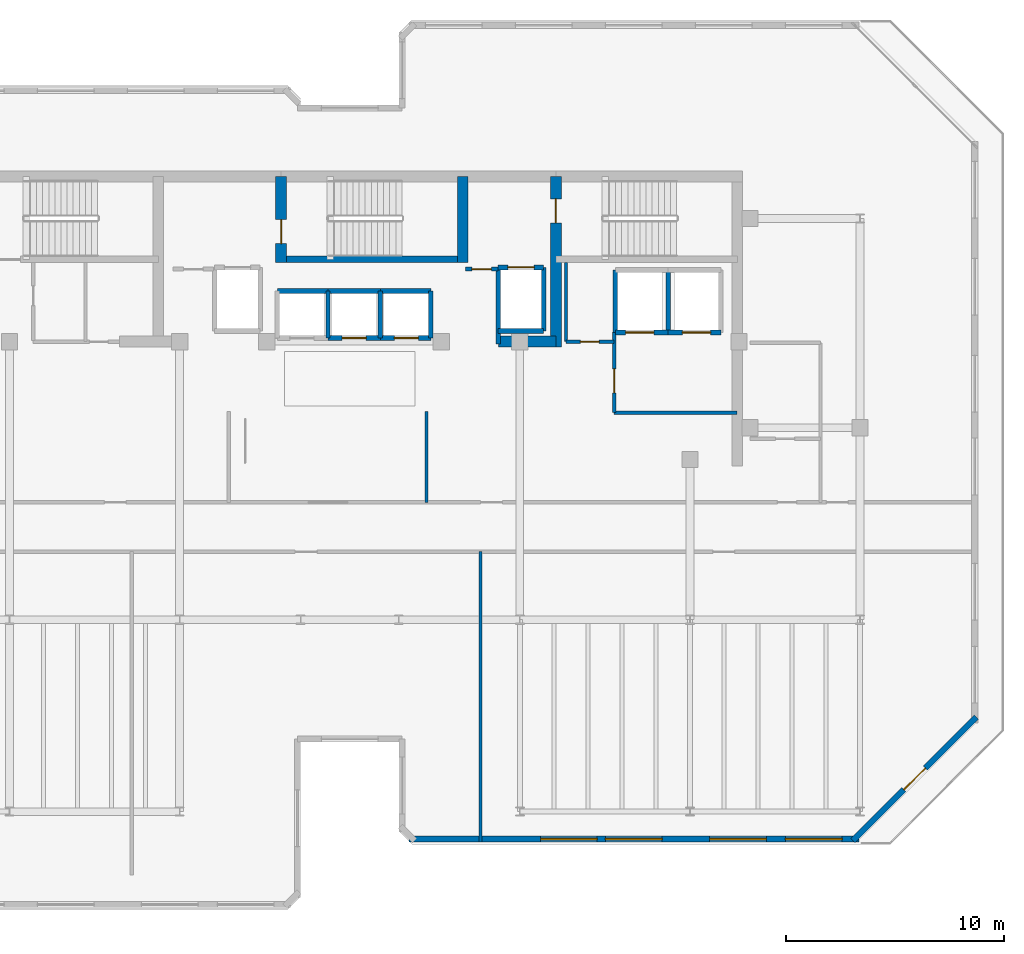
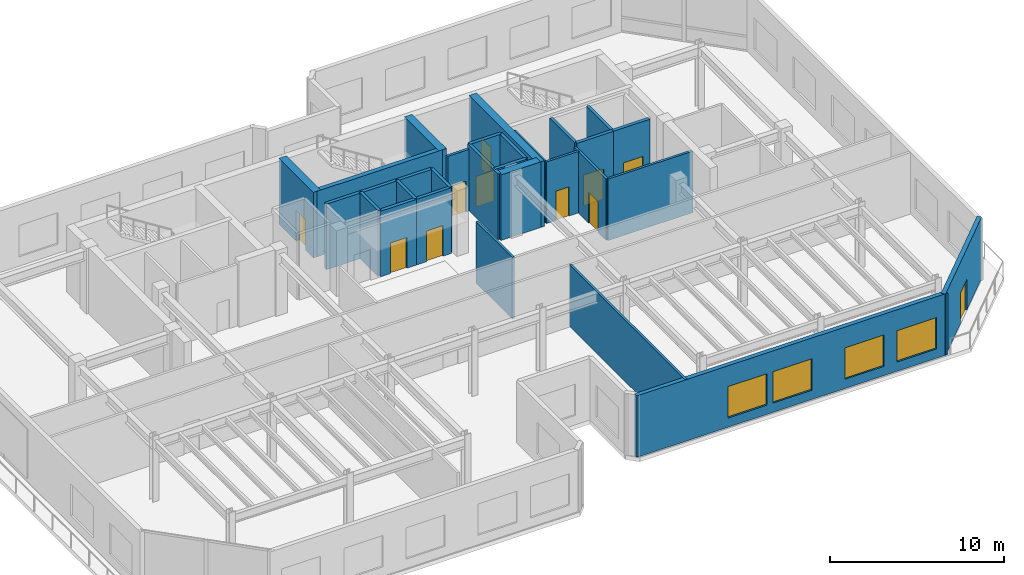
# One storey, part 7 of 12: 30 walls, 11 doors, 4 windows, 15 openings.
"""IFC4 building model written with IfcOpenShell, lengths in metres."""

from ifc_helpers import new_model, si_unit, direction, frame, frame_2d, origin, place, context, subcontext, project, spatial, rectangle, extrude, material, layer, layer_set, type_object, element, fill, save


model = new_model("IFC4")

# Units and contexts
model_context = context("Model", 3, precision=1e-05, world=origin(), true_north=direction((0.0, 1.0)))
body_context = subcontext(model_context, "Body", "Model", "MODEL_VIEW")
ifc_project = project(units=[si_unit("LENGTHUNIT", "METRE"), si_unit("AREAUNIT", "SQUARE_METRE"), si_unit("VOLUMEUNIT", "CUBIC_METRE"), si_unit("PLANEANGLEUNIT", "RADIAN"), si_unit("MASSUNIT", "GRAM", prefix="KILO")], contexts=[model_context])

# Site, building, storey
site_placement = place(None, origin())
site = spatial("IfcSite", under=ifc_project, at=site_placement, CompositionType="ELEMENT")
building_placement = place(site_placement, origin())
building = spatial("IfcBuilding", under=site, at=building_placement, Name="Kestravale Grand Hotel", CompositionType="ELEMENT")
storey_placement = place(building_placement, frame((0.0, 0.0, 302.0)))
storey = spatial("IfcBuildingStorey", under=building, at=storey_placement, Name="L75", CompositionType="ELEMENT", Elevation=302.0)

# Wall
ifc_material_1 = material(Name="Concrete f'c 50 MPa", Category="concrete")
ifc_layer_1 = layer(ifc_material_1, 0.5)
ifc_layer_set_1 = layer_set([ifc_layer_1], Name="EW-CORE-500")
wall_type_1 = type_object("IfcWallType", Name="EW-CORE-500", PredefinedType="SHEAR", material=ifc_layer_set_1)
wall_1_placement = place(storey_placement, frame((45.81005859375, 32.75, 0.0), z_axis=(0.0, 0.0, 1.0), x_axis=(1.0, 0.0, 0.0)))
element("IfcWall", 1, at=wall_1_placement, inside=storey, type_object=wall_type_1, Name="L75 core shear wall S2", PredefinedType="SHEAR", context=body_context, shape_type="SweptSolid", body=[
    extrude(rectangle(XDim=2.639892578125, YDim=0.5, at=frame_2d((1.31982421875, 0.0))), origin(), (0.0, 0.0, 1.0), 4.60009765625),
])

# Wall, opening, door
wall_2_placement = place(storey_placement, frame((35.85009765625, 36.3701171875, 0.0), z_axis=(0.0, 0.0, 1.0), x_axis=(0.0, 1.0, 0.0)))
wall_2 = element("IfcWall", 2, at=wall_2_placement, inside=storey, type_object=wall_type_1, Name="L75 core shear wall X2", PredefinedType="SHEAR", context=body_context, shape_type="SweptSolid", body=[
    extrude(rectangle(XDim=3.949951171875, YDim=0.5, at=frame_2d((1.97509765625, 0.0))), origin(), (0.0, 0.0, 1.0), 4.60009765625),
])
opening_1_placement = place(wall_2_placement, frame((0.8798828125, 0.0, 0.0)))
opening_1 = element("IfcOpeningElement", 3, at=opening_1_placement, cuts=wall_2, Name="Opening D-ST-1100", PredefinedType="OPENING", context=body_context, shape_type="SweptSolid", body=[
    extrude(rectangle(XDim=1.10009765625, YDim=2.14990234375, at=frame_2d((0.550048828125, 1.074951171875))), frame((0.0, 0.260009765625, 0.0), z_axis=(0.0, -1.0, 0.0), x_axis=(1.0, 0.0, 0.0)), (0.0, 0.0, 1.0), 0.52001953125),
])
ifc_material_2 = material(Name="Galvanised 90-minute fire-rated steel stair door", Category="steel")
door_type_1 = type_object("IfcDoorType", Name="D-ST-1100", OperationType="NOTDEFINED", PredefinedType="DOOR", material=ifc_material_2)
door_1_placement = place(opening_1_placement, origin())
door_1 = element("IfcDoor", 4, at=door_1_placement, inside=storey, type_object=door_type_1, Name="L75 Stair ST-2 FSAE fire door", OperationType="SINGLE_SWING_RIGHT", OverallHeight=2.14990234375, OverallWidth=1.10009765625, PredefinedType="DOOR", context=body_context, shape_type="SweptSolid", body=[
    extrude(rectangle(XDim=1.10009765625, YDim=2.14990234375, at=frame_2d((0.550048828125, 1.074951171875))), frame((0.0, 0.02490234375, 0.0), z_axis=(0.0, -1.0, 0.0), x_axis=(1.0, 0.0, 0.0)), (0.0, 0.0, 1.0), 0.050048828125),
])
fill(opening_1, door_1)

# Wall
wall_3_placement = place(storey_placement, frame((44.179931640625, 36.3701171875, 0.0), z_axis=(0.0, 0.0, 1.0), x_axis=(0.0, 1.0, 0.0)))
element("IfcWall", 5, at=wall_3_placement, inside=storey, type_object=wall_type_1, Name="L75 core shear wall X3", PredefinedType="SHEAR", context=body_context, shape_type="SweptSolid", body=[
    extrude(rectangle(XDim=3.949951171875, YDim=0.5, at=frame_2d((1.97509765625, 0.0))), origin(), (0.0, 0.0, 1.0), 4.60009765625),
])

# Wall, opening, door
wall_4_placement = place(storey_placement, frame((48.449951171875, 32.5, 0.0), z_axis=(0.0, 0.0, 1.0), x_axis=(0.0, 1.0, 0.0)))
wall_4 = element("IfcWall", 6, at=wall_4_placement, inside=storey, type_object=wall_type_1, Name="L75 core shear wall X4", PredefinedType="SHEAR", context=body_context, shape_type="SweptSolid", body=[
    extrude(rectangle(XDim=7.820068359375, YDim=0.5, at=frame_2d((3.91015625, 0.0))), origin(), (0.0, 0.0, 1.0), 4.60009765625),
])
opening_2_placement = place(wall_4_placement, frame((5.699951171875, 0.0, 0.0)))
opening_2 = element("IfcOpeningElement", 7, at=opening_2_placement, cuts=wall_4, Name="Opening D-ST-1100", PredefinedType="OPENING", context=body_context, shape_type="SweptSolid", body=[
    extrude(rectangle(XDim=1.10009765625, YDim=2.14990234375, at=frame_2d((0.550048828125, 1.074951171875))), frame((0.0, 0.260009765625, 0.0), z_axis=(0.0, -1.0, 0.0), x_axis=(1.0, 0.0, 0.0)), (0.0, 0.0, 1.0), 0.52001953125),
])
door_2_placement = place(opening_2_placement, origin())
door_2 = element("IfcDoor", 8, at=door_2_placement, inside=storey, type_object=door_type_1, Name="L75 Stair ST-3 FSAE fire door", OperationType="SINGLE_SWING_RIGHT", OverallHeight=2.14990234375, OverallWidth=1.10009765625, PredefinedType="DOOR", context=body_context, shape_type="SweptSolid", body=[
    extrude(rectangle(XDim=1.10009765625, YDim=2.14990234375, at=frame_2d((0.550048828125, 1.074951171875))), frame((0.0, 0.02490234375, 0.0), z_axis=(0.0, -1.0, 0.0), x_axis=(1.0, 0.0, 0.0)), (0.0, 0.0, 1.0), 0.050048828125),
])
fill(opening_2, door_2)

# Wall, openings, windows
ifc_material_3 = material(Name="Precast concrete f'c 45 MPa", Category="concrete")
ifc_layer_2 = layer(ifc_material_3, 0.280029296875)
ifc_layer_set_2 = layer_set([ifc_layer_2], Name="EW-PREC-280")
wall_type_2 = type_object("IfcWallType", Name="EW-PREC-280", PredefinedType="SOLIDWALL", material=ifc_layer_set_2)
wall_5_placement = place(storey_placement, frame((41.7099609375, 9.93994140625, 0.0), z_axis=(0.0, 0.0, 1.0), x_axis=(1.0, 0.0, 0.0)))
wall_5 = element("IfcWall", 9, at=wall_5_placement, inside=storey, type_object=wall_type_2, Name="L75 fluted precast facade wall 7", PredefinedType="SOLIDWALL", context=body_context, shape_type="SweptSolid", body=[
    extrude(rectangle(XDim=20.630126953125, YDim=0.280029296875, at=frame_2d((10.31494140625, 0.0))), origin(), (0.0, 0.0, 1.0), 4.31005859375),
])
opening_3_placement = place(wall_5_placement, frame((6.0390625, 0.0, 0.64990234375)))
opening_3 = element("IfcOpeningElement", 10, at=opening_3_placement, cuts=wall_5, Name="Opening W-SKY-2600", PredefinedType="OPENING", context=body_context, shape_type="SweptSolid", body=[
    extrude(rectangle(XDim=2.60009765625, YDim=2.199951171875, at=frame_2d((1.300048828125, 1.10009765625))), frame((0.0, 0.14990234375, 0.0), z_axis=(0.0, -1.0, 0.0), x_axis=(1.0, 0.0, 0.0)), (0.0, 0.0, 1.0), 0.300048828125),
])
opening_4_placement = place(wall_5_placement, frame((9.014892578125, 0.0, 0.64990234375)))
opening_4 = element("IfcOpeningElement", 11, at=opening_4_placement, cuts=wall_5, Name="Opening W-SKY-2600", PredefinedType="OPENING", context=body_context, shape_type="SweptSolid", body=[
    extrude(rectangle(XDim=2.60009765625, YDim=2.199951171875, at=frame_2d((1.300048828125, 1.10009765625))), frame((0.0, 0.14990234375, 0.0), z_axis=(0.0, -1.0, 0.0), x_axis=(1.0, 0.0, 0.0)), (0.0, 0.0, 1.0), 0.300048828125),
])
opening_5_placement = place(wall_5_placement, frame((13.791015625, 0.0, 0.64990234375)))
opening_5 = element("IfcOpeningElement", 12, at=opening_5_placement, cuts=wall_5, Name="Opening W-SKY-2600", PredefinedType="OPENING", context=body_context, shape_type="SweptSolid", body=[
    extrude(rectangle(XDim=2.60009765625, YDim=2.199951171875, at=frame_2d((1.300048828125, 1.10009765625))), frame((0.0, 0.14990234375, 0.0), z_axis=(0.0, -1.0, 0.0), x_axis=(1.0, 0.0, 0.0)), (0.0, 0.0, 1.0), 0.300048828125),
])
opening_6_placement = place(wall_5_placement, frame((17.26708984375, 0.0, 0.64990234375)))
opening_6 = element("IfcOpeningElement", 13, at=opening_6_placement, cuts=wall_5, Name="Opening W-SKY-2600", PredefinedType="OPENING", context=body_context, shape_type="SweptSolid", body=[
    extrude(rectangle(XDim=2.60009765625, YDim=2.199951171875, at=frame_2d((1.300048828125, 1.10009765625))), frame((0.0, 0.14990234375, 0.0), z_axis=(0.0, -1.0, 0.0), x_axis=(1.0, 0.0, 0.0)), (0.0, 0.0, 1.0), 0.300048828125),
])
ifc_material_4 = material(Name="Insulated low-E double glazing in aluminium frame", Category="aluminium")
window_type = type_object("IfcWindowType", Name="W-SKY-2600", PartitioningType="TRIPLE_PANEL_VERTICAL", PredefinedType="WINDOW", material=ifc_material_4)
window_1_placement = place(opening_3_placement, origin())
window_1 = element("IfcWindow", 14, at=window_1_placement, inside=storey, type_object=window_type, Name="L75 exterior window 7.1", OverallHeight=2.199951171875, OverallWidth=2.60009765625, PartitioningType="SINGLE_PANEL", PredefinedType="WINDOW", context=body_context, shape_type="SweptSolid", body=[
    extrude(rectangle(XDim=2.60009765625, YDim=2.199951171875, at=frame_2d((1.300048828125, 1.10009765625))), frame((0.0, 0.030029296875, 0.0), z_axis=(0.0, -1.0, 0.0), x_axis=(1.0, 0.0, 0.0)), (0.0, 0.0, 1.0), 0.06005859375),
])
fill(opening_3, window_1)
window_2_placement = place(opening_4_placement, origin())
window_2 = element("IfcWindow", 15, at=window_2_placement, inside=storey, type_object=window_type, Name="L75 exterior window 7.2", OverallHeight=2.199951171875, OverallWidth=2.60009765625, PartitioningType="SINGLE_PANEL", PredefinedType="WINDOW", context=body_context, shape_type="SweptSolid", body=[
    extrude(rectangle(XDim=2.60009765625, YDim=2.199951171875, at=frame_2d((1.300048828125, 1.10009765625))), frame((0.0, 0.030029296875, 0.0), z_axis=(0.0, -1.0, 0.0), x_axis=(1.0, 0.0, 0.0)), (0.0, 0.0, 1.0), 0.06005859375),
])
fill(opening_4, window_2)
window_3_placement = place(opening_5_placement, origin())
window_3 = element("IfcWindow", 16, at=window_3_placement, inside=storey, type_object=window_type, Name="L75 exterior window 7.3", OverallHeight=2.199951171875, OverallWidth=2.60009765625, PartitioningType="SINGLE_PANEL", PredefinedType="WINDOW", context=body_context, shape_type="SweptSolid", body=[
    extrude(rectangle(XDim=2.60009765625, YDim=2.199951171875, at=frame_2d((1.300048828125, 1.10009765625))), frame((0.0, 0.030029296875, 0.0), z_axis=(0.0, -1.0, 0.0), x_axis=(1.0, 0.0, 0.0)), (0.0, 0.0, 1.0), 0.06005859375),
])
fill(opening_5, window_3)
window_4_placement = place(opening_6_placement, origin())
window_4 = element("IfcWindow", 17, at=window_4_placement, inside=storey, type_object=window_type, Name="L75 exterior window 7.4", OverallHeight=2.199951171875, OverallWidth=2.60009765625, PartitioningType="SINGLE_PANEL", PredefinedType="WINDOW", context=body_context, shape_type="SweptSolid", body=[
    extrude(rectangle(XDim=2.60009765625, YDim=2.199951171875, at=frame_2d((1.300048828125, 1.10009765625))), frame((0.0, 0.030029296875, 0.0), z_axis=(0.0, -1.0, 0.0), x_axis=(1.0, 0.0, 0.0)), (0.0, 0.0, 1.0), 0.06005859375),
])
fill(opening_6, window_4)

# Wall, opening, door
wall_6_placement = place(storey_placement, frame((62.07275390625, 9.87060546875, 0.0), z_axis=(0.0, 0.0, 1.0), x_axis=(0.707091521591, 0.707122040453, 0.0)))
wall_6 = element("IfcWall", 18, at=wall_6_placement, inside=storey, type_object=wall_type_2, Name="L75 fluted precast facade wall 8", PredefinedType="SOLIDWALL", context=body_context, shape_type="SweptSolid", body=[
    extrude(rectangle(XDim=7.999755859375, YDim=0.280029296875, at=frame_2d((4.0, 0.0))), origin(), (0.0, 0.0, 1.0), 4.31005859375),
])
opening_7_placement = place(wall_6_placement, frame((3.2998046875, 0.0, 0.0)))
opening_7 = element("IfcOpeningElement", 19, at=opening_7_placement, cuts=wall_6, Name="Opening D-TERR-1400", PredefinedType="OPENING", context=body_context, shape_type="SweptSolid", body=[
    extrude(rectangle(XDim=1.39990234375, YDim=2.14990234375, at=frame_2d((0.699951171875, 1.074951171875))), frame((0.0, 0.14990234375, 0.0), z_axis=(0.0, -1.0, 0.0), x_axis=(1.0, 0.0, 0.0)), (0.0, 0.0, 1.0), 0.300048828125),
])
ifc_material_5 = material(Name="Insulated glazed champagne-bronze aluminium door", Category="aluminium")
door_type_2 = type_object("IfcDoorType", Name="D-TERR-1400", OperationType="NOTDEFINED", PredefinedType="DOOR", material=ifc_material_5)
door_3_placement = place(opening_7_placement, origin())
door_3 = element("IfcDoor", 20, at=door_3_placement, inside=storey, type_object=door_type_2, Name="L75 outdoor garden terrace door", OperationType="DOUBLE_DOOR_SINGLE_SWING", OverallHeight=2.14990234375, OverallWidth=1.39990234375, PredefinedType="DOOR", context=body_context, shape_type="SweptSolid", body=[
    extrude(rectangle(XDim=1.39990234375, YDim=2.14990234375, at=frame_2d((0.699951171875, 1.074951171875))), frame((0.0, 0.02490234375, 0.0), z_axis=(0.0, -1.0, 0.0), x_axis=(1.0, 0.0, 0.0)), (0.0, 0.0, 1.0), 0.050048828125),
])
fill(opening_7, door_3)

# Wall
ifc_material_6 = material(Name="Concrete f'c 45 MPa", Category="concrete")
ifc_layer_3 = layer(ifc_material_6, 0.300048828125)
ifc_layer_set_3 = layer_set([ifc_layer_3], Name="EW-STAIR-300")
wall_type_3 = type_object("IfcWallType", Name="EW-STAIR-300", PredefinedType="SHEAR", material=ifc_layer_set_3)
wall_7_placement = place(storey_placement, frame((35.85009765625, 36.52001953125, 0.0), z_axis=(0.0, 0.0, 1.0), x_axis=(1.0, 0.0, 0.0)))
element("IfcWall", 21, at=wall_7_placement, inside=storey, type_object=wall_type_3, Name="L75 stair enclosure shear wall SST2", PredefinedType="SHEAR", context=body_context, shape_type="SweptSolid", body=[
    extrude(rectangle(XDim=8.329833984375, YDim=0.300048828125, at=frame_2d((4.1650390625, 0.0))), origin(), (0.0, 0.0, 1.0), 4.60009765625),
])

# Wall, opening, door
ifc_material_7 = material(Name="Acoustic fire-rated gypsum board partition", Category="other")
ifc_layer_4 = layer(ifc_material_7, 0.159912109375)
ifc_layer_set_4 = layer_set([ifc_layer_4], Name="IW-CORR-160")
wall_type_4 = type_object("IfcWallType", Name="IW-CORR-160", PredefinedType="PARTITIONING", material=ifc_layer_set_4)
wall_8_placement = place(storey_placement, frame((51.1201171875, 29.5, 0.0), z_axis=(0.0, 0.0, 1.0), x_axis=(0.0, 1.0, 0.0)))
wall_8 = element("IfcWall", 22, at=wall_8_placement, inside=storey, type_object=wall_type_4, Name="W-L75-SVCLOB-W", PredefinedType="PARTITIONING", context=body_context, shape_type="SweptSolid", body=[
    extrude(rectangle(XDim=3.699951171875, YDim=0.159912109375, at=frame_2d((1.85009765625, 0.0))), origin(), (0.0, 0.0, 1.0), 4.31005859375),
])
opening_8_placement = place(wall_8_placement, frame((0.89990234375, 0.0, 0.0)))
opening_8 = element("IfcOpeningElement", 23, at=opening_8_placement, cuts=wall_8, Name="Opening D-CORR-1100", PredefinedType="OPENING", context=body_context, shape_type="SweptSolid", body=[
    extrude(rectangle(XDim=1.10009765625, YDim=2.14990234375, at=frame_2d((0.550048828125, 1.074951171875))), frame((0.0, 0.08984375, 0.0), z_axis=(0.0, -1.0, 0.0), x_axis=(1.0, 0.0, 0.0)), (0.0, 0.0, 1.0), 0.179931640625),
])
ifc_material_8 = material(Name="Single-leaf service vestibule fire door", Category="steel")
door_type_3 = type_object("IfcDoorType", Name="D-CORR-1100", OperationType="NOTDEFINED", PredefinedType="DOOR", material=ifc_material_8)
door_4_placement = place(opening_8_placement, origin())
door_4 = element("IfcDoor", 24, at=door_4_placement, inside=storey, type_object=door_type_3, Name="L75 service lift lobby door", OperationType="SINGLE_SWING_LEFT", OverallHeight=2.14990234375, OverallWidth=1.10009765625, PredefinedType="DOOR", context=body_context, shape_type="SweptSolid", body=[
    extrude(rectangle(XDim=1.10009765625, YDim=2.14990234375, at=frame_2d((0.550048828125, 1.074951171875))), frame((0.0, 0.02490234375, 0.0), z_axis=(0.0, -1.0, 0.0), x_axis=(1.0, 0.0, 0.0)), (0.0, 0.0, 1.0), 0.050048828125),
])
fill(opening_8, door_4)

# Wall
wall_9_placement = place(storey_placement, frame((51.1201171875, 29.5, 0.0), z_axis=(0.0, 0.0, 1.0), x_axis=(1.0, 0.0, 0.0)))
element("IfcWall", 25, at=wall_9_placement, inside=storey, type_object=wall_type_4, Name="L75 service lift lobby wall", PredefinedType="PARTITIONING", context=body_context, shape_type="SweptSolid", body=[
    extrude(rectangle(XDim=5.6298828125, YDim=0.159912109375, at=frame_2d((2.81494140625, 0.0))), origin(), (0.0, 0.0, 1.0), 4.31005859375),
])

# Wall, opening, door
wall_10_placement = place(storey_placement, frame((48.919921875, 32.75, 0.0), z_axis=(0.0, 0.0, 1.0), x_axis=(1.0, 0.0, 0.0)))
wall_10 = element("IfcWall", 26, at=wall_10_placement, inside=storey, type_object=wall_type_4, Name="W-L75-CES", PredefinedType="PARTITIONING", context=body_context, shape_type="SweptSolid", body=[
    extrude(rectangle(XDim=2.2001953125, YDim=0.159912109375, at=frame_2d((1.10009765625, 0.0))), origin(), (0.0, 0.0, 1.0), 4.31005859375),
])
opening_9_placement = place(wall_10_placement, frame((0.64990234375, 0.0, 0.0)))
opening_9 = element("IfcOpeningElement", 27, at=opening_9_placement, cuts=wall_10, Name="Opening D-SH-860", PredefinedType="OPENING", context=body_context, shape_type="SweptSolid", body=[
    extrude(rectangle(XDim=0.860107421875, YDim=2.050048828125, at=frame_2d((0.43017578125, 1.02490234375))), frame((0.0, 0.08984375, 0.0), z_axis=(0.0, -1.0, 0.0), x_axis=(1.0, 0.0, 0.0)), (0.0, 0.0, 1.0), 0.179931640625),
])
ifc_material_9 = material(Name="Galvanised 90-minute riser fire door", Category="steel")
door_type_4 = type_object("IfcDoorType", Name="D-SH-860", OperationType="NOTDEFINED", PredefinedType="DOOR", material=ifc_material_9)
door_5_placement = place(opening_9_placement, origin())
door_5 = element("IfcDoor", 28, at=door_5_placement, inside=storey, type_object=door_type_4, Name="L75 CSTO1 door", OperationType="SINGLE_SWING_RIGHT", OverallHeight=2.050048828125, OverallWidth=0.860107421875, PredefinedType="DOOR", context=body_context, shape_type="SweptSolid", body=[
    extrude(rectangle(XDim=0.860107421875, YDim=2.050048828125, at=frame_2d((0.43017578125, 1.02490234375))), frame((0.0, 0.02490234375, 0.0), z_axis=(0.0, -1.0, 0.0), x_axis=(1.0, 0.0, 0.0)), (0.0, 0.0, 1.0), 0.050048828125),
])
fill(opening_9, door_5)

ifc_material_10 = material(Name="Fire-rated gypsum board on steel studs with mineral wool", Category="steel")
ifc_layer_5 = layer(ifc_material_10, 0.179931640625)
ifc_layer_set_5 = layer_set([ifc_layer_5], Name="IW-FSAE-180")
wall_type_5 = type_object("IfcWallType", Name="IW-FSAE-180", PredefinedType="PARTITIONING", material=ifc_layer_set_5)
wall_11_placement = place(storey_placement, frame((44.300048828125, 36.080078125, 0.0), z_axis=(0.0, 0.0, 1.0), x_axis=(1.0, 0.0, 0.0)))
wall_11 = element("IfcWall", 29, at=wall_11_placement, inside=storey, type_object=wall_type_5, Name="L75 FSAE Lobby 2 smoke barrier", PredefinedType="PARTITIONING", context=body_context, shape_type="SweptSolid", body=[
    extrude(rectangle(XDim=1.5, YDim=0.179931640625, at=frame_2d((0.75, 0.0))), origin(), (0.0, 0.0, 1.0), 4.31005859375),
])
opening_10_placement = place(wall_11_placement, frame((0.300048828125, 0.0, 0.0)))
opening_10 = element("IfcOpeningElement", 30, at=opening_10_placement, cuts=wall_11, Name="Opening D-FSAE-1000", PredefinedType="OPENING", context=body_context, shape_type="SweptSolid", body=[
    extrude(rectangle(XDim=0.89990234375, YDim=2.14990234375, at=frame_2d((0.449951171875, 1.074951171875))), frame((0.0, 0.099853515625, 0.0), z_axis=(0.0, -1.0, 0.0), x_axis=(1.0, 0.0, 0.0)), (0.0, 0.0, 1.0), 0.199951171875),
])
ifc_material_11 = material(Name="Smoke-gasketed FSAE lobby fire door", Category="steel")
door_type_5 = type_object("IfcDoorType", Name="D-FSAE-1000", OperationType="NOTDEFINED", PredefinedType="DOOR", material=ifc_material_11)
door_6_placement = place(opening_10_placement, origin())
door_6 = element("IfcDoor", 31, at=door_6_placement, inside=storey, type_object=door_type_5, Name="L75 FSAE Lobby 2 fire door", OperationType="SINGLE_SWING_LEFT", OverallHeight=2.14990234375, OverallWidth=0.89990234375, PredefinedType="DOOR", context=body_context, shape_type="SweptSolid", body=[
    extrude(rectangle(XDim=0.89990234375, YDim=2.14990234375, at=frame_2d((0.449951171875, 1.074951171875))), frame((0.0, 0.02490234375, 0.0), z_axis=(0.0, -1.0, 0.0), x_axis=(1.0, 0.0, 0.0)), (0.0, 0.0, 1.0), 0.050048828125),
])
fill(opening_10, door_6)

# Walls
ifc_material_12 = material(Name="Concrete f'c 45 MPa", Category="concrete")
ifc_layer_6 = layer(ifc_material_12, 0.199951171875)
ifc_layer_set_6 = layer_set([ifc_layer_6], Name="IW-SHAFT-200")
wall_type_6 = type_object("IfcWallType", Name="IW-SHAFT-200", PredefinedType="SHEAR", material=ifc_layer_set_6)
for number, where, z_axis, x_axis, name in (
    (32, (38.0, 32.919921875, 0.0), (0.0, 0.0, 1.0), (0.0, 1.0, 0.0), "L75 PL-X2 west shaft wall"),
    (33, (40.39990234375, 32.919921875, 0.0), (0.0, 0.0, 1.0), (0.0, 1.0, 0.0), "L75 PL-X3 west shaft wall"),
    (34, (42.719970703125, 32.919921875, 0.0), (0.0, 0.0, 1.0), (0.0, 1.0, 0.0), "L75 PL-X3 east shaft wall"),
):
    element("IfcWall", number, at=place(storey_placement, frame(where, z_axis=z_axis, x_axis=x_axis)), inside=storey, type_object=wall_type_6, Name=name, PredefinedType="SHEAR", context=body_context, shape_type="SweptSolid", body=[
        extrude(rectangle(XDim=2.16015625, YDim=0.199951171875, at=frame_2d((1.080078125, 0.0))), origin(), (0.0, 0.0, 1.0), 4.60009765625),
    ])
for number, where, z_axis, x_axis, name in (
    (35, (51.179931640625, 33.169921875, 0.0), (0.0, 0.0, 1.0), (0.0, 1.0, 0.0), "L75 SL-1 west shaft wall"),
    (36, (53.60009765625, 33.169921875, 0.0), (0.0, 0.0, 1.0), (0.0, 1.0, 0.0), "L75 SL-2 west shaft wall"),
):
    element("IfcWall", number, at=place(storey_placement, frame(where, z_axis=z_axis, x_axis=x_axis)), inside=storey, type_object=wall_type_6, Name=name, PredefinedType="SHEAR", context=body_context, shape_type="SweptSolid", body=[
        extrude(rectangle(XDim=2.860107421875, YDim=0.199951171875, at=frame_2d((1.43017578125, 0.0))), origin(), (0.0, 0.0, 1.0), 4.60009765625),
    ])
wall_12_placement = place(storey_placement, frame((45.804931640625, 32.64990234375, 0.0), z_axis=(0.0, 0.0, 1.0), x_axis=(0.0, 1.0, 0.0)))
element("IfcWall", 37, at=wall_12_placement, inside=storey, type_object=wall_type_6, Name="L75 FL-2 west shaft wall", PredefinedType="SHEAR", context=body_context, shape_type="SweptSolid", body=[
    extrude(rectangle(XDim=3.505126953125, YDim=0.199951171875, at=frame_2d((1.75244140625, 0.0))), origin(), (0.0, 0.0, 1.0), 4.60009765625),
])
wall_13_placement = place(storey_placement, frame((47.89501953125, 33.2451171875, 0.0), z_axis=(0.0, 0.0, 1.0), x_axis=(0.0, 1.0, 0.0)))
element("IfcWall", 38, at=wall_13_placement, inside=storey, type_object=wall_type_6, Name="L75 FL-2 east shaft wall", PredefinedType="SHEAR", context=body_context, shape_type="SweptSolid", body=[
    extrude(rectangle(XDim=2.909912109375, YDim=0.199951171875, at=frame_2d((1.455078125, 0.0))), origin(), (0.0, 0.0, 1.0), 4.60009765625),
])
ifc_material_13 = material(Name="Concrete f'c 45 MPa", Category="concrete")
ifc_layer_7 = layer(ifc_material_13, 0.219970703125)
ifc_layer_set_7 = layer_set([ifc_layer_7], Name="IW-SHAFT-220")
wall_type_7 = type_object("IfcWallType", Name="IW-SHAFT-220", PredefinedType="SHEAR", material=ifc_layer_set_7)
wall_14_placement = place(storey_placement, frame((35.679931640625, 35.080078125, 0.0), z_axis=(0.0, 0.0, 1.0), x_axis=(1.0, 0.0, 0.0)))
element("IfcWall", 39, at=wall_14_placement, inside=storey, type_object=wall_type_7, Name="L75 PL-X1 north shaft wall", PredefinedType="SHEAR", context=body_context, shape_type="SweptSolid", body=[
    extrude(rectangle(XDim=2.320068359375, YDim=0.219970703125, at=frame_2d((1.16015625, 0.0))), origin(), (0.0, 0.0, 1.0), 4.60009765625),
])
wall_15_placement = place(storey_placement, frame((38.0, 35.080078125, 0.0), z_axis=(0.0, 0.0, 1.0), x_axis=(1.0, 0.0, 0.0)))
element("IfcWall", 40, at=wall_15_placement, inside=storey, type_object=wall_type_7, Name="L75 PL-X2 north shaft wall", PredefinedType="SHEAR", context=body_context, shape_type="SweptSolid", body=[
    extrude(rectangle(XDim=2.39990234375, YDim=0.219970703125, at=frame_2d((1.199951171875, 0.0))), origin(), (0.0, 0.0, 1.0), 4.60009765625),
])

# Wall, opening, door
wall_16_placement = place(storey_placement, frame((38.0, 32.919921875, 0.0), z_axis=(0.0, 0.0, 1.0), x_axis=(1.0, 0.0, 0.0)))
wall_16 = element("IfcWall", 41, at=wall_16_placement, inside=storey, type_object=wall_type_7, Name="L75 PL-X2 south shaft wall", PredefinedType="SHEAR", context=body_context, shape_type="SweptSolid", body=[
    extrude(rectangle(XDim=2.39990234375, YDim=0.219970703125, at=frame_2d((1.199951171875, 0.0))), origin(), (0.0, 0.0, 1.0), 4.60009765625),
])
opening_11_placement = place(wall_16_placement, frame((0.64990234375, 0.0, 0.0)))
opening_11 = element("IfcOpeningElement", 42, at=opening_11_placement, cuts=wall_16, Name="Opening LD-PAX-1100", PredefinedType="OPENING", context=body_context, shape_type="SweptSolid", body=[
    extrude(rectangle(XDim=1.10009765625, YDim=2.14990234375, at=frame_2d((0.550048828125, 1.074951171875))), frame((0.0, 0.119873046875, 0.0), z_axis=(0.0, -1.0, 0.0), x_axis=(1.0, 0.0, 0.0)), (0.0, 0.0, 1.0), 0.239990234375),
])
ifc_material_14 = material(Name="Champagne-bronze center-opening sliding elevator landing door", Category="steel")
door_type_6 = type_object("IfcDoorType", Name="LD-PAX-1100", OperationType="NOTDEFINED", PredefinedType="DOOR", material=ifc_material_14)
door_7_placement = place(opening_11_placement, origin())
door_7 = element("IfcDoor", 43, at=door_7_placement, inside=storey, type_object=door_type_6, Name="L75 PL-X2 elevator landing sliding door", OperationType="DOUBLE_DOOR_SLIDING", OverallHeight=2.14990234375, OverallWidth=1.10009765625, PredefinedType="DOOR", context=body_context, shape_type="SweptSolid", body=[
    extrude(rectangle(XDim=1.10009765625, YDim=2.14990234375, at=frame_2d((0.550048828125, 1.074951171875))), frame((0.0, 0.02490234375, 0.0), z_axis=(0.0, -1.0, 0.0), x_axis=(1.0, 0.0, 0.0)), (0.0, 0.0, 1.0), 0.050048828125),
])
fill(opening_11, door_7)

# Wall
wall_17_placement = place(storey_placement, frame((40.39990234375, 35.080078125, 0.0), z_axis=(0.0, 0.0, 1.0), x_axis=(1.0, 0.0, 0.0)))
element("IfcWall", 44, at=wall_17_placement, inside=storey, type_object=wall_type_7, Name="L75 PL-X3 north shaft wall", PredefinedType="SHEAR", context=body_context, shape_type="SweptSolid", body=[
    extrude(rectangle(XDim=2.320068359375, YDim=0.219970703125, at=frame_2d((1.16015625, 0.0))), origin(), (0.0, 0.0, 1.0), 4.60009765625),
])

# Wall, opening, door
wall_18_placement = place(storey_placement, frame((40.39990234375, 32.919921875, 0.0), z_axis=(0.0, 0.0, 1.0), x_axis=(1.0, 0.0, 0.0)))
wall_18 = element("IfcWall", 45, at=wall_18_placement, inside=storey, type_object=wall_type_7, Name="L75 PL-X3 south shaft wall", PredefinedType="SHEAR", context=body_context, shape_type="SweptSolid", body=[
    extrude(rectangle(XDim=2.320068359375, YDim=0.219970703125, at=frame_2d((1.16015625, 0.0))), origin(), (0.0, 0.0, 1.0), 4.60009765625),
])
opening_12_placement = place(wall_18_placement, frame((0.64990234375, 0.0, 0.0)))
opening_12 = element("IfcOpeningElement", 46, at=opening_12_placement, cuts=wall_18, Name="Opening LD-PAX-1100", PredefinedType="OPENING", context=body_context, shape_type="SweptSolid", body=[
    extrude(rectangle(XDim=1.10009765625, YDim=2.14990234375, at=frame_2d((0.550048828125, 1.074951171875))), frame((0.0, 0.119873046875, 0.0), z_axis=(0.0, -1.0, 0.0), x_axis=(1.0, 0.0, 0.0)), (0.0, 0.0, 1.0), 0.239990234375),
])
door_8_placement = place(opening_12_placement, origin())
door_8 = element("IfcDoor", 47, at=door_8_placement, inside=storey, type_object=door_type_6, Name="L75 PL-X3 elevator landing sliding door", OperationType="DOUBLE_DOOR_SLIDING", OverallHeight=2.14990234375, OverallWidth=1.10009765625, PredefinedType="DOOR", context=body_context, shape_type="SweptSolid", body=[
    extrude(rectangle(XDim=1.10009765625, YDim=2.14990234375, at=frame_2d((0.550048828125, 1.074951171875))), frame((0.0, 0.02490234375, 0.0), z_axis=(0.0, -1.0, 0.0), x_axis=(1.0, 0.0, 0.0)), (0.0, 0.0, 1.0), 0.050048828125),
])
fill(opening_12, door_8)

wall_19_placement = place(storey_placement, frame((51.179931640625, 33.169921875, 0.0), z_axis=(0.0, 0.0, 1.0), x_axis=(1.0, 0.0, 0.0)))
wall_19 = element("IfcWall", 48, at=wall_19_placement, inside=storey, type_object=wall_type_7, Name="L75 SL-1 south shaft wall", PredefinedType="SHEAR", context=body_context, shape_type="SweptSolid", body=[
    extrude(rectangle(XDim=2.420166015625, YDim=0.219970703125, at=frame_2d((1.2099609375, 0.0))), origin(), (0.0, 0.0, 1.0), 4.60009765625),
])
opening_13_placement = place(wall_19_placement, frame((0.469970703125, 0.0, 0.0)))
opening_13 = element("IfcOpeningElement", 49, at=opening_13_placement, cuts=wall_19, Name="Opening LD-SVC-1300", PredefinedType="OPENING", context=body_context, shape_type="SweptSolid", body=[
    extrude(rectangle(XDim=1.300048828125, YDim=2.14990234375, at=frame_2d((0.64990234375, 1.074951171875))), frame((0.0, 0.119873046875, 0.0), z_axis=(0.0, -1.0, 0.0), x_axis=(1.0, 0.0, 0.0)), (0.0, 0.0, 1.0), 0.239990234375),
])
ifc_material_15 = material(Name="Heavy-duty service sliding elevator landing door", Category="steel")
door_type_7 = type_object("IfcDoorType", Name="LD-SVC-1300", OperationType="NOTDEFINED", PredefinedType="DOOR", material=ifc_material_15)
door_9_placement = place(opening_13_placement, origin())
door_9 = element("IfcDoor", 50, at=door_9_placement, inside=storey, type_object=door_type_7, Name="L75 SL-1 elevator landing sliding door", OperationType="DOUBLE_DOOR_SLIDING", OverallHeight=2.14990234375, OverallWidth=1.300048828125, PredefinedType="DOOR", context=body_context, shape_type="SweptSolid", body=[
    extrude(rectangle(XDim=1.300048828125, YDim=2.14990234375, at=frame_2d((0.64990234375, 1.074951171875))), frame((0.0, 0.02490234375, 0.0), z_axis=(0.0, -1.0, 0.0), x_axis=(1.0, 0.0, 0.0)), (0.0, 0.0, 1.0), 0.050048828125),
])
fill(opening_13, door_9)

wall_20_placement = place(storey_placement, frame((53.60009765625, 33.169921875, 0.0), z_axis=(0.0, 0.0, 1.0), x_axis=(1.0, 0.0, 0.0)))
wall_20 = element("IfcWall", 51, at=wall_20_placement, inside=storey, type_object=wall_type_7, Name="L75 SL-2 south shaft wall", PredefinedType="SHEAR", context=body_context, shape_type="SweptSolid", body=[
    extrude(rectangle(XDim=2.419921875, YDim=0.219970703125, at=frame_2d((1.2099609375, 0.0))), origin(), (0.0, 0.0, 1.0), 4.60009765625),
])
opening_14_placement = place(wall_20_placement, frame((0.64990234375, 0.0, 0.0)))
opening_14 = element("IfcOpeningElement", 52, at=opening_14_placement, cuts=wall_20, Name="Opening LD-SVC-1300", PredefinedType="OPENING", context=body_context, shape_type="SweptSolid", body=[
    extrude(rectangle(XDim=1.300048828125, YDim=2.14990234375, at=frame_2d((0.64990234375, 1.074951171875))), frame((0.0, 0.119873046875, 0.0), z_axis=(0.0, -1.0, 0.0), x_axis=(1.0, 0.0, 0.0)), (0.0, 0.0, 1.0), 0.239990234375),
])
door_10_placement = place(opening_14_placement, origin())
door_10 = element("IfcDoor", 53, at=door_10_placement, inside=storey, type_object=door_type_7, Name="L75 SL-2 elevator landing sliding door", OperationType="DOUBLE_DOOR_SLIDING", OverallHeight=2.14990234375, OverallWidth=1.300048828125, PredefinedType="DOOR", context=body_context, shape_type="SweptSolid", body=[
    extrude(rectangle(XDim=1.300048828125, YDim=2.14990234375, at=frame_2d((0.64990234375, 1.074951171875))), frame((0.0, 0.02490234375, 0.0), z_axis=(0.0, -1.0, 0.0), x_axis=(1.0, 0.0, 0.0)), (0.0, 0.0, 1.0), 0.050048828125),
])
fill(opening_14, door_10)

wall_21_placement = place(storey_placement, frame((45.804931640625, 36.155029296875, 0.0), z_axis=(0.0, 0.0, 1.0), x_axis=(1.0, 0.0, 0.0)))
wall_21 = element("IfcWall", 54, at=wall_21_placement, inside=storey, type_object=wall_type_7, Name="L75 FL-2 north shaft wall", PredefinedType="SHEAR", context=body_context, shape_type="SweptSolid", body=[
    extrude(rectangle(XDim=2.090087890625, YDim=0.219970703125, at=frame_2d((1.044921875, 0.0))), origin(), (0.0, 0.0, 1.0), 4.60009765625),
])
opening_15_placement = place(wall_21_placement, frame((0.445068359375, 0.0, 0.0)))
opening_15 = element("IfcOpeningElement", 55, at=opening_15_placement, cuts=wall_21, Name="Opening LD-FSAE-1200", PredefinedType="OPENING", context=body_context, shape_type="SweptSolid", body=[
    extrude(rectangle(XDim=1.199951171875, YDim=2.14990234375, at=frame_2d((0.60009765625, 1.074951171875))), frame((0.0, 0.119873046875, 0.0), z_axis=(0.0, -1.0, 0.0), x_axis=(1.0, 0.0, 0.0)), (0.0, 0.0, 1.0), 0.239990234375),
])
ifc_material_16 = material(Name="Stainless fire-service sliding elevator landing door", Category="steel")
door_type_8 = type_object("IfcDoorType", Name="LD-FSAE-1200", OperationType="NOTDEFINED", PredefinedType="DOOR", material=ifc_material_16)
door_11_placement = place(opening_15_placement, origin())
door_11 = element("IfcDoor", 56, at=door_11_placement, inside=storey, type_object=door_type_8, Name="L75 FL-2 elevator landing sliding door", OperationType="DOUBLE_DOOR_SLIDING", OverallHeight=2.14990234375, OverallWidth=1.199951171875, PredefinedType="DOOR", context=body_context, shape_type="SweptSolid", body=[
    extrude(rectangle(XDim=1.199951171875, YDim=2.14990234375, at=frame_2d((0.60009765625, 1.074951171875))), frame((0.0, 0.02490234375, 0.0), z_axis=(0.0, -1.0, 0.0), x_axis=(1.0, 0.0, 0.0)), (0.0, 0.0, 1.0), 0.050048828125),
])
fill(opening_15, door_11)

# Walls
wall_22_placement = place(storey_placement, frame((45.804931640625, 33.2451171875, 0.0), z_axis=(0.0, 0.0, 1.0), x_axis=(1.0, 0.0, 0.0)))
element("IfcWall", 57, at=wall_22_placement, inside=storey, type_object=wall_type_7, Name="L75 FL-2 south shaft wall", PredefinedType="SHEAR", context=body_context, shape_type="SweptSolid", body=[
    extrude(rectangle(XDim=2.090087890625, YDim=0.219970703125, at=frame_2d((1.044921875, 0.0))), origin(), (0.0, 0.0, 1.0), 4.60009765625),
])
ifc_material_17 = material(Name="Double-stud STC 52 acoustic demising partition", Category="other")
ifc_layer_8 = layer(ifc_material_17, 0.14990234375)
ifc_layer_set_8 = layer_set([ifc_layer_8], Name="IW-UNIT-150")
wall_type_8 = type_object("IfcWallType", Name="IW-UNIT-150", PredefinedType="PARTITIONING", material=ifc_layer_set_8)
wall_23_placement = place(storey_placement, frame((48.919921875, 32.75, 0.0), z_axis=(0.0, 0.0, 1.0), x_axis=(0.0, 1.0, 0.0)))
element("IfcWall", 58, at=wall_23_placement, inside=storey, type_object=wall_type_8, Name="W-L75-CEW", PredefinedType="PARTITIONING", context=body_context, shape_type="SweptSolid", body=[
    extrude(rectangle(XDim=3.6201171875, YDim=0.14990234375, at=frame_2d((1.81005859375, 0.0))), origin(), (0.0, 0.0, 1.0), 4.31005859375),
])
wall_24_placement = place(storey_placement, frame((42.52001953125, 25.3798828125, 0.0), z_axis=(0.0, 0.0, 1.0), x_axis=(0.0, 1.0, 0.0)))
element("IfcWall", 59, at=wall_24_placement, inside=storey, type_object=wall_type_8, Name="W-L75-RCLE-W", PredefinedType="PARTITIONING", context=body_context, shape_type="SweptSolid", body=[
    extrude(rectangle(XDim=4.170166015625, YDim=0.14990234375, at=frame_2d((2.0849609375, 0.0))), origin(), (0.0, 0.0, 1.0), 4.31005859375),
])
wall_25_placement = place(storey_placement, frame((45.0, 9.820068359375, 0.0), z_axis=(0.0, 0.0, 1.0), x_axis=(0.0, 1.0, 0.0)))
element("IfcWall", 60, at=wall_25_placement, inside=storey, type_object=wall_type_8, Name="W-L75-SD-2", PredefinedType="PARTITIONING", context=body_context, shape_type="SweptSolid", body=[
    extrude(rectangle(XDim=13.300048828125, YDim=0.14990234375, at=frame_2d((6.64990234375, 0.0))), origin(), (0.0, 0.0, 1.0), 4.31005859375),
])

save(model, "model.ifc")
